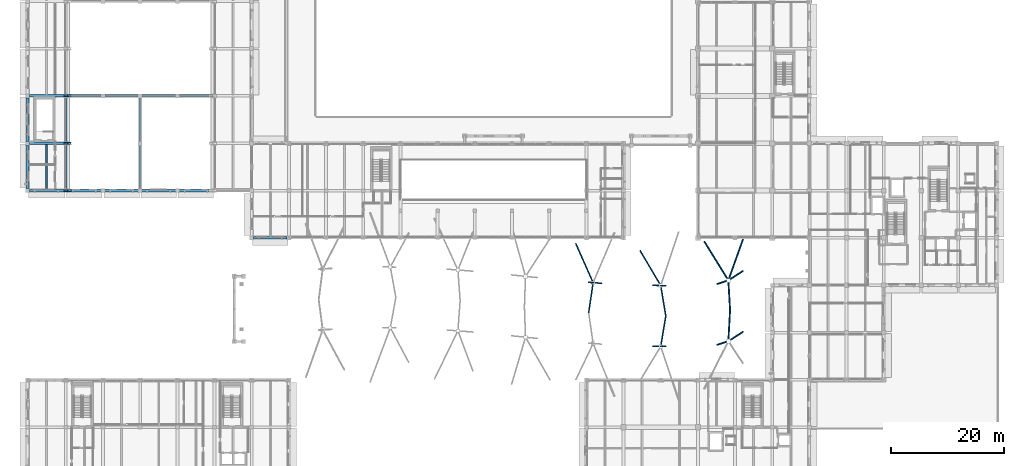
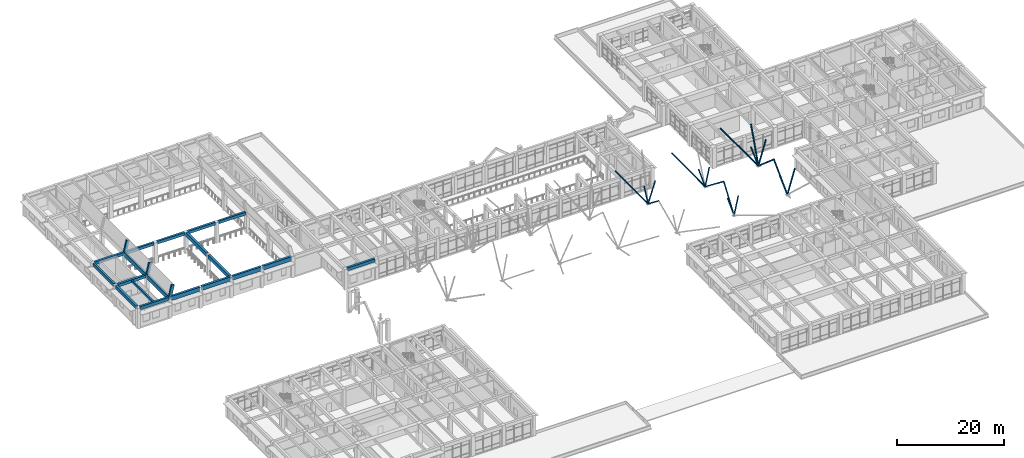
# One storey, part 15 of 75: 22 beams, 19 members.
"""IFC4 building model written with IfcOpenShell, lengths in metres."""

from ifc_helpers import new_model, si_unit, direction, frame, origin, origin_2d, place, context, subcontext, project, spatial, rectangle, hollow_circle, extrude, material, material_profile, profile_set, type_object, element, save


model = new_model("IFC4")

# Units and contexts
model_context = context("Model", 3, precision=1e-05, world=origin(), true_north=direction((0.0, 1.0)))
body_context = subcontext(model_context, "Body", "Model", "MODEL_VIEW")
ifc_project = project(units=[si_unit("LENGTHUNIT", "METRE"), si_unit("AREAUNIT", "SQUARE_METRE"), si_unit("VOLUMEUNIT", "CUBIC_METRE"), si_unit("PLANEANGLEUNIT", "RADIAN"), si_unit("MASSUNIT", "GRAM", prefix="KILO")], contexts=[model_context])

# Site, building, storey
site_placement = place(None, origin())
site = spatial("IfcSite", under=ifc_project, at=site_placement, CompositionType="ELEMENT")
building_placement = place(site_placement, origin())
building = spatial("IfcBuilding", under=site, at=building_placement, Name="Kolvaren Faculty of Natural Sciences", CompositionType="ELEMENT")
storey_placement = place(building_placement, frame((0.0, 0.0, 5.39990234375)))
storey = spatial("IfcBuildingStorey", under=building, at=storey_placement, Name="L01", CompositionType="ELEMENT", Elevation=5.39990234375)

# Beams
ifc_material_1 = material(Name="Concrete C35/45", Category="concrete")
ifc_material_profile_1 = material_profile(ifc_material_1, rectangle(XDim=0.449951171875, YDim=0.64990234375, at=origin_2d()), Name="RC BM 450x650")
ifc_profile_set_1 = profile_set([ifc_material_profile_1], Name="Concrete C35/45")
beam_type_1 = type_object("IfcBeamType", Name="GridBeam_450x650", PredefinedType="BEAM", material=ifc_profile_set_1)
for number, where, z_axis, x_axis, name in (
    (1, (0.35009765625, 84.199951171875, 4.47509765625), (1.0, 0.0, 0.0), (0.0, 1.0, 0.0), "L01 beam BM-65 on grid L"),
    (2, (0.35009765625, 92.60009765625, 4.47509765625), (1.0, 0.0, 0.0), (0.0, 1.0, 0.0), "L01 beam BM-65 on grid M"),
):
    element("IfcBeam", number, at=place(storey_placement, frame(where, z_axis=z_axis, x_axis=x_axis)), inside=storey, type_object=beam_type_1, Name=name, PredefinedType="BEAM", context=body_context, shape_type="SweptSolid", body=[
        extrude(rectangle(XDim=0.449951171875, YDim=0.64990234375, at=origin_2d()), origin(), (0.0, 0.0, 1.0), 6.099853515625),
    ])
beam_1_placement = place(storey_placement, frame((7.14990234375, 92.60009765625, 4.47509765625), z_axis=(1.0, 0.0, 0.0), x_axis=(0.0, 1.0, 0.0)))
element("IfcBeam", 3, at=beam_1_placement, inside=storey, type_object=beam_type_1, Name="L01 beam BM-65 on grid M", PredefinedType="BEAM", context=body_context, shape_type="SweptSolid", body=[
    extrude(rectangle(XDim=0.449951171875, YDim=0.64990234375, at=origin_2d()), origin(), (0.0, 0.0, 1.0), 5.900146484375),
])
for number, where, z_axis, x_axis, name in (
    (4, (13.75, 92.60009765625, 4.47509765625), (1.0, 0.0, 0.0), (0.0, 1.0, 0.0), "L01 beam BM-65 on grid M"),
    (5, (20.35009765625, 92.60009765625, 4.47509765625), (1.0, 0.0, 0.0), (0.0, 1.0, 0.0), "L01 beam BM-65 on grid M"),
):
    element("IfcBeam", number, at=place(storey_placement, frame(where, z_axis=z_axis, x_axis=x_axis)), inside=storey, type_object=beam_type_1, Name=name, PredefinedType="BEAM", context=body_context, shape_type="SweptSolid", body=[
        extrude(rectangle(XDim=0.449951171875, YDim=0.64990234375, at=origin_2d()), origin(), (0.0, 0.0, 1.0), 5.89990234375),
    ])
beam_2_placement = place(storey_placement, frame((26.949951171875, 92.60009765625, 4.47509765625), z_axis=(1.0, 0.0, 0.0), x_axis=(0.0, 1.0, 0.0)))
element("IfcBeam", 6, at=beam_2_placement, inside=storey, type_object=beam_type_1, Name="L01 beam BM-65 on grid M", PredefinedType="BEAM", context=body_context, shape_type="SweptSolid", body=[
    extrude(rectangle(XDim=0.449951171875, YDim=0.64990234375, at=origin_2d()), origin(), (0.0, 0.0, 1.0), 5.900146484375),
])
ifc_material_profile_2 = material_profile(ifc_material_1, rectangle(XDim=0.260009765625, YDim=0.5, at=origin_2d()), Name="RC JST 260x500")
ifc_profile_set_2 = profile_set([ifc_material_profile_2], Name="Concrete C35/45")
beam_type_2 = type_object("IfcBeamType", Name="LabRibJoist_260x500", PredefinedType="JOIST", material=ifc_profile_set_2)
beam_3_placement = place(storey_placement, frame((3.39990234375, 76.02490234375, 4.550048828125), z_axis=(0.0, 1.0, 0.0), x_axis=(-1.0, 0.0, 0.0)))
element("IfcBeam", 7, at=beam_3_placement, inside=storey, type_object=beam_type_2, Name="L01 ribbed laboratory slab joist JS-50", PredefinedType="JOIST", context=body_context, shape_type="SweptSolid", body=[
    extrude(rectangle(XDim=0.260009765625, YDim=0.5, at=origin_2d()), origin(), (0.0, 0.0, 1.0), 7.9501953125),
])
ifc_material_profile_3 = material_profile(ifc_material_1, rectangle(XDim=0.449951171875, YDim=0.699951171875, at=origin_2d()), Name="RC SP 450x700")
ifc_profile_set_3 = profile_set([ifc_material_profile_3], Name="Concrete C35/45")
beam_type_3 = type_object("IfcBeamType", Name="PerimeterSpandrel_450x700", PredefinedType="SPANDREL", material=ifc_profile_set_3)
beam_4_placement = place(storey_placement, frame((40.14990234375, 67.39990234375, 4.4501953125), z_axis=(1.0, 0.0, 0.0), x_axis=(0.0, 1.0, 0.0)))
element("IfcBeam", 8, at=beam_4_placement, inside=storey, type_object=beam_type_3, Name="L01 spandrel SP-70 on grid J", PredefinedType="SPANDREL", context=body_context, shape_type="SweptSolid", body=[
    extrude(rectangle(XDim=0.449951171875, YDim=0.699951171875, at=origin_2d()), origin(), (0.0, 0.0, 1.0), 5.900146484375),
])
beam_5_placement = place(storey_placement, frame((0.35009765625, 75.800048828125, 4.4501953125), z_axis=(1.0, 0.0, 0.0), x_axis=(0.0, 1.0, 0.0)))
element("IfcBeam", 9, at=beam_5_placement, inside=storey, type_object=beam_type_3, Name="L01 spandrel SP-70 on grid K", PredefinedType="SPANDREL", context=body_context, shape_type="SweptSolid", body=[
    extrude(rectangle(XDim=0.449951171875, YDim=0.699951171875, at=origin_2d()), origin(), (0.0, 0.0, 1.0), 6.099853515625),
])
beam_6_placement = place(storey_placement, frame((0.0, 76.14990234375, 4.4501953125), z_axis=(0.0, 1.0, 0.0), x_axis=(-1.0, 0.0, 0.0)))
element("IfcBeam", 10, at=beam_6_placement, inside=storey, type_object=beam_type_3, Name="L01 girder SP-70 on grid 1", PredefinedType="SPANDREL", context=body_context, shape_type="SweptSolid", body=[
    extrude(rectangle(XDim=0.449951171875, YDim=0.699951171875, at=origin_2d()), origin(), (0.0, 0.0, 1.0), 7.7001953125),
])
beam_7_placement = place(storey_placement, frame((0.0, 84.550048828125, 4.4501953125), z_axis=(0.0, 1.0, 0.0), x_axis=(-1.0, 0.0, 0.0)))
element("IfcBeam", 11, at=beam_7_placement, inside=storey, type_object=beam_type_3, Name="L01 girder SP-70 on grid 1", PredefinedType="SPANDREL", context=body_context, shape_type="SweptSolid", body=[
    extrude(rectangle(XDim=0.449951171875, YDim=0.699951171875, at=origin_2d()), origin(), (0.0, 0.0, 1.0), 7.699951171875),
])
ifc_material_profile_4 = material_profile(ifc_material_1, rectangle(XDim=0.5, YDim=0.85009765625, at=origin_2d()), Name="RC BM 500x850")
ifc_profile_set_4 = profile_set([ifc_material_profile_4], Name="Concrete C35/45")
beam_type_4 = type_object("IfcBeamType", Name="PrimaryGirder_500x850", PredefinedType="BEAM", material=ifc_profile_set_4)
beam_8_placement = place(storey_placement, frame((20.0, 76.14990234375, 4.375), z_axis=(0.0, 1.0, 0.0), x_axis=(-1.0, 0.0, 0.0)))
element("IfcBeam", 12, at=beam_8_placement, inside=storey, type_object=beam_type_4, Name="L01 girder BG-85 on grid 4", PredefinedType="BEAM", context=body_context, shape_type="SweptSolid", body=[
    extrude(rectangle(XDim=0.5, YDim=0.85009765625, at=origin_2d()), origin(), (0.0, 0.0, 1.0), 7.7001953125),
])
beam_9_placement = place(storey_placement, frame((20.0, 84.550048828125, 4.375), z_axis=(0.0, 1.0, 0.0), x_axis=(-1.0, 0.0, 0.0)))
element("IfcBeam", 13, at=beam_9_placement, inside=storey, type_object=beam_type_4, Name="L01 girder BG-85 on grid 4", PredefinedType="BEAM", context=body_context, shape_type="SweptSolid", body=[
    extrude(rectangle(XDim=0.5, YDim=0.85009765625, at=origin_2d()), origin(), (0.0, 0.0, 1.0), 7.699951171875),
])
ifc_material_2 = material(Name="Concrete C40/50", Category="concrete")
ifc_material_profile_5 = material_profile(ifc_material_2, rectangle(XDim=0.35009765625, YDim=0.64990234375, at=origin_2d()), Name="RC RB 350x650")
ifc_profile_set_5 = profile_set([ifc_material_profile_5], Name="Concrete C40/50")
beam_type_5 = type_object("IfcBeamType", Name="ShellArchRib_350x650", PredefinedType="BEAM", material=ifc_profile_set_5)
for number, where, z_axis, x_axis, name in (
    (14, (6.800048828125, 75.800048828125, 4.47998046875), (0.227934858985, 0.0, 0.973676383641), (0.0, 1.0, 0.0), "Lecture Theatre Pavilion Barrel Vault Shell arched stiffening rib 1.1"),
    (15, (6.800048828125, 84.199951171875, 4.47998046875), (0.227934858985, 0.0, 0.973676383641), (0.0, 1.0, 0.0), "Lecture Theatre Pavilion Barrel Vault Shell arched stiffening rib 2.1"),
    (16, (6.800048828125, 92.60009765625, 4.47998046875), (0.227934858985, 0.0, 0.973676383641), (0.0, 1.0, 0.0), "Lecture Theatre Pavilion Barrel Vault Shell arched stiffening rib 3.1"),
):
    element("IfcBeam", number, at=place(storey_placement, frame(where, z_axis=z_axis, x_axis=x_axis)), inside=storey, type_object=beam_type_5, Name=name, PredefinedType="BEAM", context=body_context, shape_type="SweptSolid", body=[
        extrude(rectangle(XDim=0.35009765625, YDim=0.64990234375, at=origin_2d()), origin(), (0.0, 0.0, 1.0), 2.834228515625),
    ])
ifc_material_profile_6 = material_profile(ifc_material_2, rectangle(XDim=0.449951171875, YDim=0.949951171875, at=origin_2d()), Name="RC EB 450x950")
ifc_profile_set_6 = profile_set([ifc_material_profile_6], Name="Concrete C40/50")
beam_type_6 = type_object("IfcBeamType", Name="ShellEdgeBeam_450x950", PredefinedType="SPANDREL", material=ifc_profile_set_6)
beam_10_placement = place(storey_placement, frame((7.0400390625, 75.800048828125, 4.3251953125), z_axis=(1.0, 0.0, 0.0), x_axis=(0.0, 1.0, 0.0)))
element("IfcBeam", 17, at=beam_10_placement, inside=storey, type_object=beam_type_6, Name="Lecture Theatre Pavilion Barrel Vault Shell visible RC edge beam EB-SHELL", PredefinedType="SPANDREL", context=body_context, shape_type="SweptSolid", body=[
    extrude(rectangle(XDim=0.449951171875, YDim=0.949951171875, at=origin_2d()), origin(), (0.0, 0.0, 1.0), 6.119873046875),
])
for number, where, z_axis, x_axis, name in (
    (18, (13.639892578125, 75.800048828125, 4.3251953125), (1.0, 0.0, 0.0), (0.0, 1.0, 0.0), "Lecture Theatre Pavilion Barrel Vault Shell visible RC edge beam EB-SHELL"),
    (19, (20.239990234375, 75.800048828125, 4.3251953125), (1.0, 0.0, 0.0), (0.0, 1.0, 0.0), "Lecture Theatre Pavilion Barrel Vault Shell visible RC edge beam EB-SHELL"),
):
    element("IfcBeam", number, at=place(storey_placement, frame(where, z_axis=z_axis, x_axis=x_axis)), inside=storey, type_object=beam_type_6, Name=name, PredefinedType="SPANDREL", context=body_context, shape_type="SweptSolid", body=[
        extrude(rectangle(XDim=0.449951171875, YDim=0.949951171875, at=origin_2d()), origin(), (0.0, 0.0, 1.0), 6.1201171875),
    ])
beam_11_placement = place(storey_placement, frame((26.840087890625, 75.800048828125, 4.3251953125), z_axis=(1.0, 0.0, 0.0), x_axis=(0.0, 1.0, 0.0)))
element("IfcBeam", 20, at=beam_11_placement, inside=storey, type_object=beam_type_6, Name="Lecture Theatre Pavilion Barrel Vault Shell visible RC edge beam EB-SHELL", PredefinedType="SPANDREL", context=body_context, shape_type="SweptSolid", body=[
    extrude(rectangle(XDim=0.449951171875, YDim=0.949951171875, at=origin_2d()), origin(), (0.0, 0.0, 1.0), 6.119873046875),
])
beam_12_placement = place(storey_placement, frame((6.800048828125, 76.0400390625, 4.3251953125), z_axis=(0.0, 1.0, 0.0), x_axis=(-1.0, 0.0, 0.0)))
element("IfcBeam", 21, at=beam_12_placement, inside=storey, type_object=beam_type_6, Name="Lecture Theatre Pavilion Barrel Vault Shell visible RC edge beam EB-SHELL", PredefinedType="SPANDREL", context=body_context, shape_type="SweptSolid", body=[
    extrude(rectangle(XDim=0.449951171875, YDim=0.949951171875, at=origin_2d()), origin(), (0.0, 0.0, 1.0), 7.919921875),
])
beam_13_placement = place(storey_placement, frame((6.800048828125, 84.43994140625, 4.3251953125), z_axis=(0.0, 1.0, 0.0), x_axis=(-1.0, 0.0, 0.0)))
element("IfcBeam", 22, at=beam_13_placement, inside=storey, type_object=beam_type_6, Name="Lecture Theatre Pavilion Barrel Vault Shell visible RC edge beam EB-SHELL", PredefinedType="SPANDREL", context=body_context, shape_type="SweptSolid", body=[
    extrude(rectangle(XDim=0.449951171875, YDim=0.949951171875, at=origin_2d()), origin(), (0.0, 0.0, 1.0), 7.920166015625),
])

# Members
ifc_material_3 = material(Name="Structural steel EN 10210-1 S355J2H (white architectural finish)", Category="steel")
ifc_material_profile_7 = material_profile(ifc_material_3, hollow_circle(Radius=0.161865234375, WallThickness=0.012451171875, at=origin_2d()), Name="CHS 323.9x12.5")
ifc_profile_set_7 = profile_set([ifc_material_profile_7], Name="Structural steel EN 10210-1 S355J2H (white architectural finish)")
member_type_1 = type_object("IfcMemberType", Name="TreeBranchPortal_CHS324", PredefinedType="STRUT", material=ifc_profile_set_7)
member_1_placement = place(storey_placement, frame((124.39990234375, 49.069580078125, 3.0), z_axis=(-0.344671009379, -0.11163416232, 0.932062073629), x_axis=(0.308127483231, -0.951345076236, 0.0)))
element("IfcMember", 23, at=member_1_placement, inside=storey, type_object=member_type_1, Name="Covered street canopy tree TREE-13 inclined branch 2", PredefinedType="STRUT", context=body_context, shape_type="SweptSolid", body=[
    extrude(hollow_circle(Radius=0.161865234375, WallThickness=0.012451171875, at=origin_2d()), origin(), (0.0, 0.0, 1.0), 5.723388671875),
])
member_2_placement = place(storey_placement, frame((124.39990234375, 49.069580078125, 3.0), z_axis=(0.043074833914, 0.774462377208, 0.631151792339), x_axis=(-0.998456842001, 0.05553318522, 0.0)))
element("IfcMember", 24, at=member_2_placement, inside=storey, type_object=member_type_1, Name="Covered street canopy tree TREE-13 inclined branch 3", PredefinedType="STRUT", context=body_context, shape_type="SweptSolid", body=[
    extrude(hollow_circle(Radius=0.161865234375, WallThickness=0.012451171875, at=origin_2d()), origin(), (0.0, 0.0, 1.0), 7.175537109375),
])
member_3_placement = place(storey_placement, frame((124.39990234375, 49.069580078125, 3.0), z_axis=(0.503391420254, 0.322677078299, 0.801546368687), x_axis=(-0.539654581723, 0.841886531799, 0.0)))
element("IfcMember", 25, at=member_3_placement, inside=storey, type_object=member_type_1, Name="Covered street canopy tree TREE-13 inclined branch 4", PredefinedType="STRUT", context=body_context, shape_type="SweptSolid", body=[
    extrude(hollow_circle(Radius=0.161865234375, WallThickness=0.012451171875, at=origin_2d()), origin(), (0.0, 0.0, 1.0), 5.147216796875),
])
member_4_placement = place(storey_placement, frame((124.39990234375, 59.86962890625, 3.0), z_axis=(-0.425249157523, 0.687851371691, 0.588237744869), x_axis=(-0.850576900717, -0.525850678394, 0.0)))
element("IfcMember", 26, at=member_4_placement, inside=storey, type_object=member_type_1, Name="Covered street canopy tree TREE-14 inclined branch 1", PredefinedType="STRUT", context=body_context, shape_type="SweptSolid", body=[
    extrude(hollow_circle(Radius=0.161865234375, WallThickness=0.012451171875, at=origin_2d()), origin(), (0.0, 0.0, 1.0), 10.00439453125),
])
member_5_placement = place(storey_placement, frame((124.39990234375, 59.86962890625, 3.0), z_axis=(-0.344671009379, -0.11163416232, 0.932062073629), x_axis=(0.308127483231, -0.951345076236, 0.0)))
element("IfcMember", 27, at=member_5_placement, inside=storey, type_object=member_type_1, Name="Covered street canopy tree TREE-14 inclined branch 2", PredefinedType="STRUT", context=body_context, shape_type="SweptSolid", body=[
    extrude(hollow_circle(Radius=0.161865234375, WallThickness=0.012451171875, at=origin_2d()), origin(), (0.0, 0.0, 1.0), 5.723388671875),
])
member_6_placement = place(storey_placement, frame((124.39990234375, 59.86962890625, 3.0), z_axis=(0.044568600107, -0.756011601347, 0.653039124795), x_axis=(0.998266831172, 0.058850095845, 0.0)))
element("IfcMember", 28, at=member_6_placement, inside=storey, type_object=member_type_1, Name="Covered street canopy tree TREE-14 inclined branch 3", PredefinedType="STRUT", context=body_context, shape_type="SweptSolid", body=[
    extrude(hollow_circle(Radius=0.161865234375, WallThickness=0.012451171875, at=origin_2d()), origin(), (0.0, 0.0, 1.0), 6.93505859375),
])
member_7_placement = place(storey_placement, frame((124.39990234375, 59.86962890625, 3.0), z_axis=(0.503391420254, 0.322677078299, 0.801546368687), x_axis=(-0.539654581723, 0.841886531799, 0.0)))
element("IfcMember", 29, at=member_7_placement, inside=storey, type_object=member_type_1, Name="Covered street canopy tree TREE-14 inclined branch 4", PredefinedType="STRUT", context=body_context, shape_type="SweptSolid", body=[
    extrude(hollow_circle(Radius=0.161865234375, WallThickness=0.012451171875, at=origin_2d()), origin(), (0.0, 0.0, 1.0), 5.147216796875),
])
member_8_placement = place(storey_placement, frame((124.39990234375, 59.86962890625, 3.0), z_axis=(0.295396083137, 0.827320566773, 0.477788482345), x_axis=(-0.941769147969, 0.3362601254, 0.0)))
element("IfcMember", 30, at=member_8_placement, inside=storey, type_object=member_type_1, Name="Covered street canopy tree TREE-14 inclined branch 5", PredefinedType="STRUT", context=body_context, shape_type="SweptSolid", body=[
    extrude(hollow_circle(Radius=0.161865234375, WallThickness=0.012451171875, at=origin_2d()), origin(), (0.0, 0.0, 1.0), 8.771484375),
])
ifc_material_profile_8 = material_profile(ifc_material_3, hollow_circle(Radius=0.136474609375, WallThickness=0.012451171875, at=origin_2d()), Name="CHS 273x12.5")
ifc_profile_set_8 = profile_set([ifc_material_profile_8], Name="Structural steel EN 10210-1 S355J2H (white architectural finish)")
member_type_2 = type_object("IfcMemberType", Name="TreeBranchPrimary_CHS273", PredefinedType="STRUT", material=ifc_profile_set_8)
member_9_placement = place(storey_placement, frame((100.39990234375, 59.458984375, 3.0), z_axis=(-0.350633134146, 0.791007176125, 0.501362196977), x_axis=(-0.91420814245, -0.405244953427, 0.0)))
element("IfcMember", 31, at=member_9_placement, inside=storey, type_object=member_type_2, Name="Covered street canopy tree TREE-10 inclined branch 1", PredefinedType="STRUT", context=body_context, shape_type="SweptSolid", body=[
    extrude(hollow_circle(Radius=0.136474609375, WallThickness=0.012451171875, at=origin_2d()), origin(), (0.0, 0.0, 1.0), 8.7626953125),
])
member_10_placement = place(storey_placement, frame((100.39990234375, 59.458984375, 3.0), z_axis=(-0.186392249841, 0.014271465872, 0.982371749625), x_axis=(-0.076343387798, -0.997081584997, 0.0)))
element("IfcMember", 32, at=member_10_placement, inside=storey, type_object=member_type_2, Name="Covered street canopy tree TREE-10 inclined branch 2", PredefinedType="STRUT", context=body_context, shape_type="SweptSolid", body=[
    extrude(hollow_circle(Radius=0.136474609375, WallThickness=0.012451171875, at=origin_2d()), origin(), (0.0, 0.0, 1.0), 4.242431640625),
])
member_11_placement = place(storey_placement, frame((100.39990234375, 59.458984375, 3.0), z_axis=(-0.115694950064, -0.781217737836, 0.613443986539), x_axis=(0.989210989154, -0.146497846183, 0.0)))
element("IfcMember", 33, at=member_11_placement, inside=storey, type_object=member_type_2, Name="Covered street canopy tree TREE-10 inclined branch 3", PredefinedType="STRUT", context=body_context, shape_type="SweptSolid", body=[
    extrude(hollow_circle(Radius=0.136474609375, WallThickness=0.012451171875, at=origin_2d()), origin(), (0.0, 0.0, 1.0), 6.8349609375),
])
member_12_placement = place(storey_placement, frame((100.39990234375, 59.458984375, 3.0), z_axis=(0.297547962735, -0.021145540499, 0.954472669064), x_axis=(0.070887211789, 0.997484337323, 0.0)))
element("IfcMember", 34, at=member_12_placement, inside=storey, type_object=member_type_2, Name="Covered street canopy tree TREE-10 inclined branch 4", PredefinedType="STRUT", context=body_context, shape_type="SweptSolid", body=[
    extrude(hollow_circle(Radius=0.136474609375, WallThickness=0.012451171875, at=origin_2d()), origin(), (0.0, 0.0, 1.0), 5.0107421875),
])
member_13_placement = place(storey_placement, frame((112.39990234375, 48.152587890625, 3.0), z_axis=(-0.298917158942, 0.003063649977, 0.954274146217), x_axis=(-0.010248622358, -0.999947481491, 0.0)))
element("IfcMember", 35, at=member_13_placement, inside=storey, type_object=member_type_2, Name="Covered street canopy tree TREE-11 inclined branch 2", PredefinedType="STRUT", context=body_context, shape_type="SweptSolid", body=[
    extrude(hollow_circle(Radius=0.136474609375, WallThickness=0.012451171875, at=origin_2d()), origin(), (0.0, 0.0, 1.0), 4.6220703125),
])
member_14_placement = place(storey_placement, frame((112.39990234375, 48.152587890625, 3.0), z_axis=(0.130910171568, 0.784963947116, 0.605552746429), x_axis=(-0.98637703679, 0.164500277485, 0.0)))
element("IfcMember", 36, at=member_14_placement, inside=storey, type_object=member_type_2, Name="Covered street canopy tree TREE-11 inclined branch 3", PredefinedType="STRUT", context=body_context, shape_type="SweptSolid", body=[
    extrude(hollow_circle(Radius=0.136474609375, WallThickness=0.012451171875, at=origin_2d()), origin(), (0.0, 0.0, 1.0), 6.8759765625),
])
member_15_placement = place(storey_placement, frame((112.39990234375, 48.152587890625, 3.0), z_axis=(0.212515747489, -0.000634031251, 0.977157436176), x_axis=(0.002983442106, 0.999995549527, 0.0)))
element("IfcMember", 37, at=member_15_placement, inside=storey, type_object=member_type_2, Name="Covered street canopy tree TREE-11 inclined branch 4", PredefinedType="STRUT", context=body_context, shape_type="SweptSolid", body=[
    extrude(hollow_circle(Radius=0.136474609375, WallThickness=0.012451171875, at=origin_2d()), origin(), (0.0, 0.0, 1.0), 4.235595703125),
])
member_16_placement = place(storey_placement, frame((112.39990234375, 58.95263671875, 3.0), z_axis=(-0.410218860149, 0.693484742388, 0.592283208316), x_axis=(-0.860691380697, -0.509127044258, 0.0)))
element("IfcMember", 38, at=member_16_placement, inside=storey, type_object=member_type_2, Name="Covered street canopy tree TREE-12 inclined branch 1", PredefinedType="STRUT", context=body_context, shape_type="SweptSolid", body=[
    extrude(hollow_circle(Radius=0.136474609375, WallThickness=0.012451171875, at=origin_2d()), origin(), (0.0, 0.0, 1.0), 8.9306640625),
])
member_17_placement = place(storey_placement, frame((112.39990234375, 58.95263671875, 3.0), z_axis=(-0.298917158942, 0.003063649977, 0.954274146217), x_axis=(-0.010248622358, -0.999947481491, 0.0)))
element("IfcMember", 39, at=member_17_placement, inside=storey, type_object=member_type_2, Name="Covered street canopy tree TREE-12 inclined branch 2", PredefinedType="STRUT", context=body_context, shape_type="SweptSolid", body=[
    extrude(hollow_circle(Radius=0.136474609375, WallThickness=0.012451171875, at=origin_2d()), origin(), (0.0, 0.0, 1.0), 4.6220703125),
])
member_18_placement = place(storey_placement, frame((112.39990234375, 58.95263671875, 3.0), z_axis=(0.130833582354, -0.78524988986, 0.605198466789), x_axis=(0.986402355661, 0.164348388329, 0.0)))
element("IfcMember", 40, at=member_18_placement, inside=storey, type_object=member_type_2, Name="Covered street canopy tree TREE-12 inclined branch 3", PredefinedType="STRUT", context=body_context, shape_type="SweptSolid", body=[
    extrude(hollow_circle(Radius=0.136474609375, WallThickness=0.012451171875, at=origin_2d()), origin(), (0.0, 0.0, 1.0), 6.880126953125),
])
member_19_placement = place(storey_placement, frame((112.39990234375, 58.95263671875, 3.0), z_axis=(0.212515747489, -0.000634031251, 0.977157436176), x_axis=(0.002983442106, 0.999995549527, 0.0)))
element("IfcMember", 41, at=member_19_placement, inside=storey, type_object=member_type_2, Name="Covered street canopy tree TREE-12 inclined branch 4", PredefinedType="STRUT", context=body_context, shape_type="SweptSolid", body=[
    extrude(hollow_circle(Radius=0.136474609375, WallThickness=0.012451171875, at=origin_2d()), origin(), (0.0, 0.0, 1.0), 4.235595703125),
])

save(model, "model.ifc")
